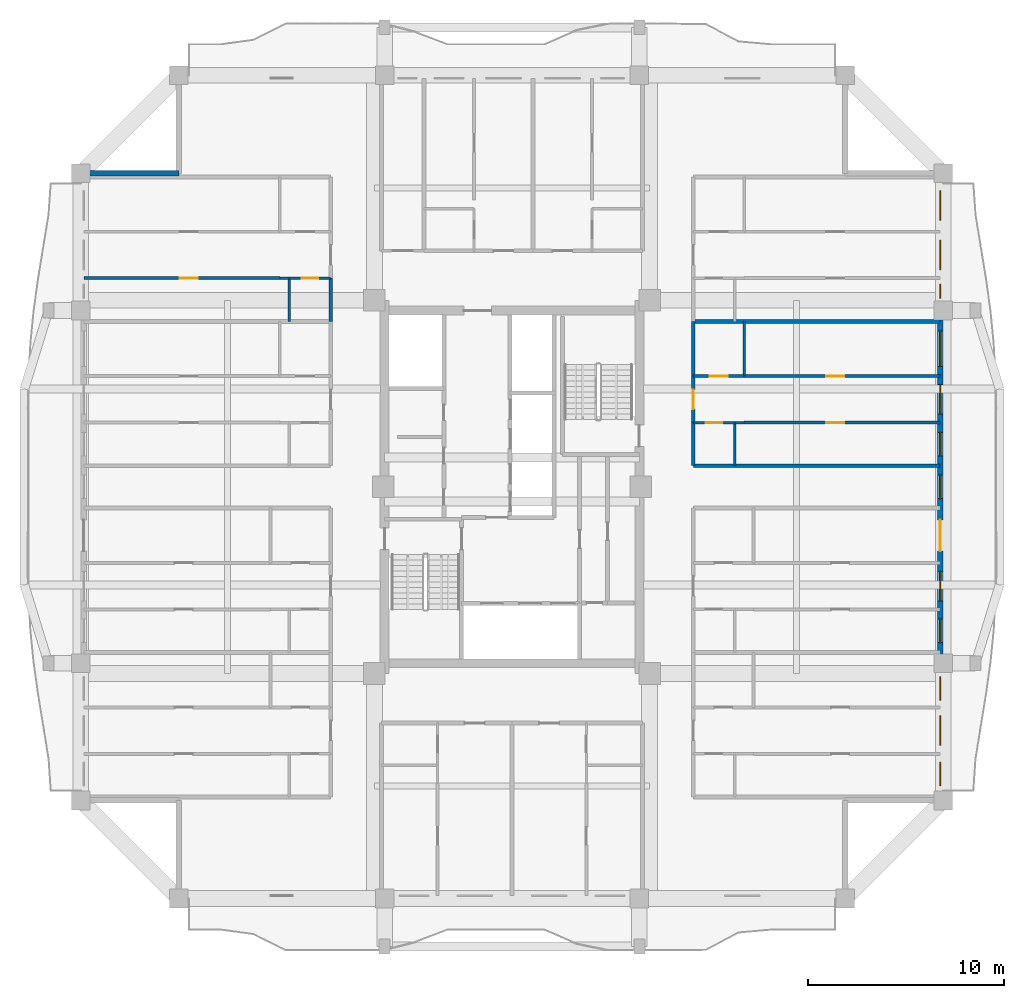
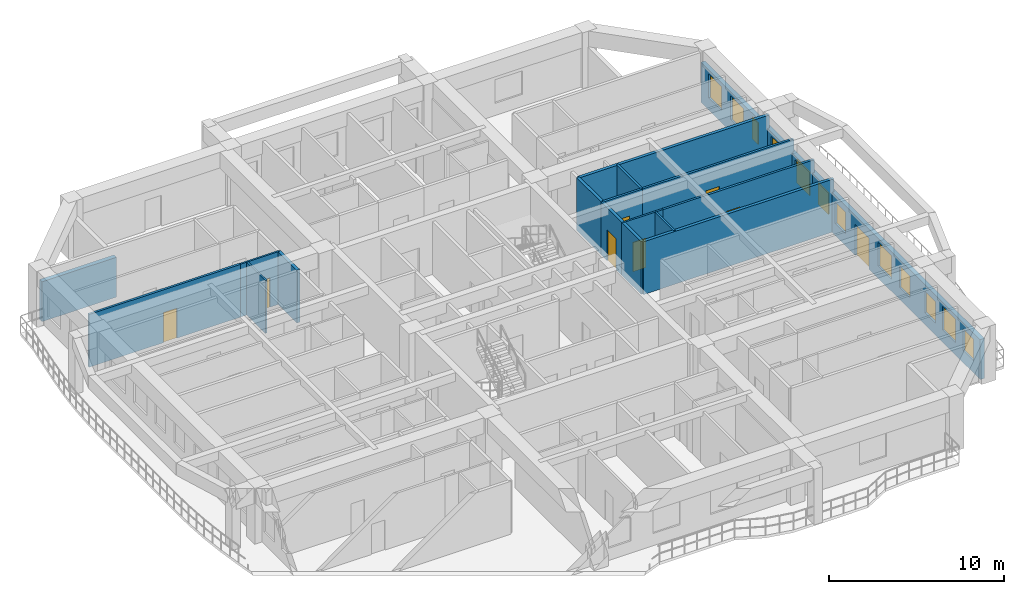
# One storey, part 6 of 15: 19 walls, 12 windows, 8 doors, 20 openings.
"""IFC4 building model written with IfcOpenShell, lengths in metres."""

from ifc_helpers import new_model, si_unit, direction, frame, frame_2d, origin, place, context, subcontext, project, spatial, rectangle, extrude, source, transform, mapped, material, layer, layer_set, type_object, element, fill, save


model = new_model("IFC4")

# Units and contexts
model_context = context("Model", 3, precision=1e-05, world=origin(), true_north=direction((0.0, 1.0)))
body_context = subcontext(model_context, "Body", "Model", "MODEL_VIEW")
ifc_project = project(units=[si_unit("LENGTHUNIT", "METRE"), si_unit("AREAUNIT", "SQUARE_METRE"), si_unit("VOLUMEUNIT", "CUBIC_METRE"), si_unit("PLANEANGLEUNIT", "RADIAN"), si_unit("MASSUNIT", "GRAM", prefix="KILO")], contexts=[model_context])

# Site, building, storey
site_placement = place(None, origin())
site = spatial("IfcSite", under=ifc_project, at=site_placement, CompositionType="ELEMENT")
building_placement = place(site_placement, origin())
building = spatial("IfcBuilding", under=site, at=building_placement, Name="Saelheon Loggia Tower", CompositionType="ELEMENT")
storey_placement = place(building_placement, frame((0.0, 0.0, 159.10009765625)))
storey = spatial("IfcBuildingStorey", under=building, at=storey_placement, Name="L50", CompositionType="ELEMENT", Elevation=159.10009765625)

# Wall, openings, windows, door
ifc_material_1 = material(Name="Architectural Precast Concrete C40/50", Category="concrete")
ifc_layer_1 = layer(ifc_material_1, 0.280029296875)
ifc_layer_set_1 = layer_set([ifc_layer_1], Name="Architectural Precast Concrete C40/50")
wall_type_1 = type_object("IfcWallType", Name="Wall_Ext_Loggia_280", PredefinedType="SOLIDWALL", material=ifc_layer_set_1)
wall_1_placement = place(storey_placement, frame((59.860107421875, 11.0, 0.0), z_axis=(0.0, 0.0, 1.0), x_axis=(0.0, 1.0, 0.0)))
wall_1 = element("IfcWall", 1, at=wall_1_placement, inside=storey, type_object=wall_type_1, Name="L50 East Loggia Inner Wall", PredefinedType="SOLIDWALL", context=body_context, shape_type="SweptSolid", body=[
    extrude(rectangle(XDim=32.0, YDim=0.280029296875, at=frame_2d((16.0, 0.0))), origin(), (0.0, 0.0, 1.0), 2.789794921875),
])
opening_1_placement = place(wall_1_placement, frame((0.74755859375, 0.0, 0.85009765625)))
opening_1 = element("IfcOpeningElement", 2, at=opening_1_placement, cuts=wall_1, Name="Opening WN-03", PredefinedType="OPENING", context=body_context, shape_type="SweptSolid", body=[
    extrude(rectangle(XDim=1.199951171875, YDim=1.5, at=frame_2d((0.60009765625, 0.75))), frame((0.0, 0.152099609375, 0.0), z_axis=(0.0, -1.0, 0.0), x_axis=(1.0, 0.0, 0.0)), (0.0, 0.0, 1.0), 0.303955078125),
])
opening_2_placement = place(wall_1_placement, frame((2.814697265625, 0.0, 0.85009765625)))
opening_2 = element("IfcOpeningElement", 3, at=opening_2_placement, cuts=wall_1, Name="Opening WN-02", PredefinedType="OPENING", context=body_context, shape_type="SweptSolid", body=[
    extrude(rectangle(XDim=1.5, YDim=1.64990234375, at=frame_2d((0.75, 0.824951171875))), frame((0.0, 0.152099609375, 0.0), z_axis=(0.0, -1.0, 0.0), x_axis=(1.0, 0.0, 0.0)), (0.0, 0.0, 1.0), 0.303955078125),
])
opening_3_placement = place(wall_1_placement, frame((5.1171875, 0.0, 0.85009765625)))
opening_3 = element("IfcOpeningElement", 4, at=opening_3_placement, cuts=wall_1, Name="Opening WN-03", PredefinedType="OPENING", context=body_context, shape_type="SweptSolid", body=[
    extrude(rectangle(XDim=1.199951171875, YDim=1.5, at=frame_2d((0.60009765625, 0.75))), frame((0.0, 0.152099609375, 0.0), z_axis=(0.0, -1.0, 0.0), x_axis=(1.0, 0.0, 0.0)), (0.0, 0.0, 1.0), 0.303955078125),
])
opening_4_placement = place(wall_1_placement, frame((8.050048828125, 0.0, 0.85009765625)))
opening_4 = element("IfcOpeningElement", 5, at=opening_4_placement, cuts=wall_1, Name="Opening WN-03", PredefinedType="OPENING", context=body_context, shape_type="SweptSolid", body=[
    extrude(rectangle(XDim=1.199951171875, YDim=1.5, at=frame_2d((0.60009765625, 0.75))), frame((0.0, 0.152099609375, 0.0), z_axis=(0.0, -1.0, 0.0), x_axis=(1.0, 0.0, 0.0)), (0.0, 0.0, 1.0), 0.303955078125),
])
opening_5_placement = place(wall_1_placement, frame((10.184814453125, 0.0, 0.85009765625)))
opening_5 = element("IfcOpeningElement", 6, at=opening_5_placement, cuts=wall_1, Name="Opening WN-02", PredefinedType="OPENING", context=body_context, shape_type="SweptSolid", body=[
    extrude(rectangle(XDim=1.5, YDim=1.64990234375, at=frame_2d((0.75, 0.824951171875))), frame((0.0, 0.152099609375, 0.0), z_axis=(0.0, -1.0, 0.0), x_axis=(1.0, 0.0, 0.0)), (0.0, 0.0, 1.0), 0.303955078125),
])
opening_6_placement = place(wall_1_placement, frame((14.31982421875, 0.0, 0.0), z_axis=(0.0, 0.0, 1.0), x_axis=(-1.0, 0.0, 0.0)))
opening_6 = element("IfcOpeningElement", 7, at=opening_6_placement, cuts=wall_1, Name="Opening DLG-1", PredefinedType="OPENING", context=body_context, shape_type="SweptSolid", body=[
    extrude(rectangle(XDim=1.60009765625, YDim=2.14990234375, at=frame_2d((0.800048828125, 1.074951171875))), frame((0.0, 0.152099609375, 0.0), z_axis=(0.0, -1.0, 0.0), x_axis=(1.0, 0.0, 0.0)), (0.0, 0.0, 1.0), 0.303955078125),
])
opening_7_placement = place(wall_1_placement, frame((15.39990234375, 0.0, 0.85009765625)))
opening_7 = element("IfcOpeningElement", 8, at=opening_7_placement, cuts=wall_1, Name="Opening WN-03", PredefinedType="OPENING", context=body_context, shape_type="SweptSolid", body=[
    extrude(rectangle(XDim=1.199951171875, YDim=1.5, at=frame_2d((0.60009765625, 0.75))), frame((0.0, 0.152099609375, 0.0), z_axis=(0.0, -1.0, 0.0), x_axis=(1.0, 0.0, 0.0)), (0.0, 0.0, 1.0), 0.303955078125),
])
opening_8_placement = place(wall_1_placement, frame((17.580078125, 0.0, 0.85009765625)))
opening_8 = element("IfcOpeningElement", 9, at=opening_8_placement, cuts=wall_1, Name="Opening WN-03", PredefinedType="OPENING", context=body_context, shape_type="SweptSolid", body=[
    extrude(rectangle(XDim=1.199951171875, YDim=1.5, at=frame_2d((0.60009765625, 0.75))), frame((0.0, 0.152099609375, 0.0), z_axis=(0.0, -1.0, 0.0), x_axis=(1.0, 0.0, 0.0)), (0.0, 0.0, 1.0), 0.303955078125),
])
opening_9_placement = place(wall_1_placement, frame((19.714599609375, 0.0, 0.85009765625)))
opening_9 = element("IfcOpeningElement", 10, at=opening_9_placement, cuts=wall_1, Name="Opening WN-02", PredefinedType="OPENING", context=body_context, shape_type="SweptSolid", body=[
    extrude(rectangle(XDim=1.5, YDim=1.64990234375, at=frame_2d((0.75, 0.824951171875))), frame((0.0, 0.152099609375, 0.0), z_axis=(0.0, -1.0, 0.0), x_axis=(1.0, 0.0, 0.0)), (0.0, 0.0, 1.0), 0.303955078125),
])
opening_10_placement = place(wall_1_placement, frame((22.149658203125, 0.0, 0.85009765625)))
opening_10 = element("IfcOpeningElement", 11, at=opening_10_placement, cuts=wall_1, Name="Opening WN-01", PredefinedType="OPENING", context=body_context, shape_type="SweptSolid", body=[
    extrude(rectangle(XDim=1.800048828125, YDim=1.64990234375, at=frame_2d((0.89990234375, 0.824951171875))), frame((0.0, 0.152099609375, 0.0), z_axis=(0.0, -1.0, 0.0), x_axis=(1.0, 0.0, 0.0)), (0.0, 0.0, 1.0), 0.303955078125),
])
opening_11_placement = place(wall_1_placement, frame((25.632568359375, 0.0, 0.85009765625)))
opening_11 = element("IfcOpeningElement", 12, at=opening_11_placement, cuts=wall_1, Name="Opening WN-06", PredefinedType="OPENING", context=body_context, shape_type="SweptSolid", body=[
    extrude(rectangle(XDim=0.699951171875, YDim=1.5, at=frame_2d((0.35009765625, 0.75))), frame((0.0, 0.152099609375, 0.0), z_axis=(0.0, -1.0, 0.0), x_axis=(1.0, 0.0, 0.0)), (0.0, 0.0, 1.0), 0.303955078125),
])
opening_12_placement = place(wall_1_placement, frame((27.084716796875, 0.0, 0.85009765625)))
opening_12 = element("IfcOpeningElement", 13, at=opening_12_placement, cuts=wall_1, Name="Opening WN-02", PredefinedType="OPENING", context=body_context, shape_type="SweptSolid", body=[
    extrude(rectangle(XDim=1.5, YDim=1.64990234375, at=frame_2d((0.75, 0.824951171875))), frame((0.0, 0.152099609375, 0.0), z_axis=(0.0, -1.0, 0.0), x_axis=(1.0, 0.0, 0.0)), (0.0, 0.0, 1.0), 0.303955078125),
])
opening_13_placement = place(wall_1_placement, frame((29.602294921875, 0.0, 0.85009765625)))
opening_13 = element("IfcOpeningElement", 14, at=opening_13_placement, cuts=wall_1, Name="Opening WN-02", PredefinedType="OPENING", context=body_context, shape_type="SweptSolid", body=[
    extrude(rectangle(XDim=1.5, YDim=1.64990234375, at=frame_2d((0.75, 0.824951171875))), frame((0.0, 0.152099609375, 0.0), z_axis=(0.0, -1.0, 0.0), x_axis=(1.0, 0.0, 0.0)), (0.0, 0.0, 1.0), 0.303955078125),
])
ifc_material_2 = material(Name="Thermal-Break Aluminium and Triple Low-E Glass", Category="aluminium")
window_type_1 = type_object("IfcWindowType", Name="Win_Dwelling_1800x1650", PartitioningType="SINGLE_PANEL", PredefinedType="WINDOW", material=ifc_material_2)
shared_shape_1 = source(origin(), body_context, "Body", "SweptSolid", [
    extrude(rectangle(XDim=1.800048828125, YDim=1.64990234375, at=frame_2d((0.89990234375, 0.824951171875))), frame((0.0, 0.030029296875, 0.0), z_axis=(0.0, -1.0, 0.0), x_axis=(1.0, 0.0, 0.0)), (0.0, 0.0, 1.0), 0.06005859375),
])
window_1_placement = place(opening_10_placement, origin())
window_1 = element("IfcWindow", 15, at=window_1_placement, inside=storey, type_object=window_type_1, Name="L50 E Dwelling Window 10", OverallHeight=1.64990234375, OverallWidth=1.800048828125, PartitioningType="SINGLE_PANEL", PredefinedType="WINDOW", context=body_context, shape_type="MappedRepresentation", body=[
    mapped(shared_shape_1, transform((0.0, 0.0, 0.0), scale=1.0)),
])
fill(opening_10, window_1)
window_type_2 = type_object("IfcWindowType", Name="Win_Slot_700x1500", PartitioningType="SINGLE_PANEL", PredefinedType="WINDOW", material=ifc_material_2)
shared_shape_2 = source(origin(), body_context, "Body", "SweptSolid", [
    extrude(rectangle(XDim=0.699951171875, YDim=1.5, at=frame_2d((0.35009765625, 0.75))), frame((0.0, 0.030029296875, 0.0), z_axis=(0.0, -1.0, 0.0), x_axis=(1.0, 0.0, 0.0)), (0.0, 0.0, 1.0), 0.06005859375),
])
window_2_placement = place(opening_11_placement, origin())
window_2 = element("IfcWindow", 16, at=window_2_placement, inside=storey, type_object=window_type_2, Name="L50 E Dwelling Window 11", OverallHeight=1.5, OverallWidth=0.699951171875, PartitioningType="SINGLE_PANEL", PredefinedType="WINDOW", context=body_context, shape_type="MappedRepresentation", body=[
    mapped(shared_shape_2, transform((0.0, 0.0, 0.0), scale=1.0)),
])
fill(opening_11, window_2)
window_type_3 = type_object("IfcWindowType", Name="Win_Bedroom_1200x1500", PartitioningType="SINGLE_PANEL", PredefinedType="WINDOW", material=ifc_material_2)
shared_shape_3 = source(origin(), body_context, "Body", "SweptSolid", [
    extrude(rectangle(XDim=1.199951171875, YDim=1.5, at=frame_2d((0.60009765625, 0.75))), frame((0.0, 0.030029296875, 0.0), z_axis=(0.0, -1.0, 0.0), x_axis=(1.0, 0.0, 0.0)), (0.0, 0.0, 1.0), 0.06005859375),
])
window_3_placement = place(opening_1_placement, origin())
window_3 = element("IfcWindow", 17, at=window_3_placement, inside=storey, type_object=window_type_3, Name="L50 E Dwelling Window 1", OverallHeight=1.5, OverallWidth=1.199951171875, PartitioningType="SINGLE_PANEL", PredefinedType="WINDOW", context=body_context, shape_type="MappedRepresentation", body=[
    mapped(shared_shape_3, transform((0.0, 0.0, 0.0), scale=1.0)),
])
fill(opening_1, window_3)
window_4_placement = place(opening_3_placement, origin())
window_4 = element("IfcWindow", 18, at=window_4_placement, inside=storey, type_object=window_type_3, Name="L50 E Dwelling Window 3", OverallHeight=1.5, OverallWidth=1.199951171875, PartitioningType="SINGLE_PANEL", PredefinedType="WINDOW", context=body_context, shape_type="MappedRepresentation", body=[
    mapped(shared_shape_3, transform((0.0, 0.0, 0.0), scale=1.0)),
])
fill(opening_3, window_4)
window_5_placement = place(opening_4_placement, origin())
window_5 = element("IfcWindow", 19, at=window_5_placement, inside=storey, type_object=window_type_3, Name="L50 E Dwelling Window 4", OverallHeight=1.5, OverallWidth=1.199951171875, PartitioningType="SINGLE_PANEL", PredefinedType="WINDOW", context=body_context, shape_type="MappedRepresentation", body=[
    mapped(shared_shape_3, transform((0.0, 0.0, 0.0), scale=1.0)),
])
fill(opening_4, window_5)
window_6_placement = place(opening_7_placement, origin())
window_6 = element("IfcWindow", 20, at=window_6_placement, inside=storey, type_object=window_type_3, Name="L50 E Dwelling Window 7", OverallHeight=1.5, OverallWidth=1.199951171875, PartitioningType="SINGLE_PANEL", PredefinedType="WINDOW", context=body_context, shape_type="MappedRepresentation", body=[
    mapped(shared_shape_3, transform((0.0, 0.0, 0.0), scale=1.0)),
])
fill(opening_7, window_6)
window_7_placement = place(opening_8_placement, origin())
window_7 = element("IfcWindow", 21, at=window_7_placement, inside=storey, type_object=window_type_3, Name="L50 E Dwelling Window 8", OverallHeight=1.5, OverallWidth=1.199951171875, PartitioningType="SINGLE_PANEL", PredefinedType="WINDOW", context=body_context, shape_type="MappedRepresentation", body=[
    mapped(shared_shape_3, transform((0.0, 0.0, 0.0), scale=1.0)),
])
fill(opening_8, window_7)
ifc_material_3 = material(Name="Thermal-Break Aluminium Sliding Glazed Door", Category="aluminium")
door_type_1 = type_object("IfcDoorType", Name="Door_LoggiaSlide_1600", OperationType="SLIDING_TO_LEFT", PredefinedType="DOOR", material=ifc_material_3)
shared_shape_4 = source(origin(), body_context, "Body", "SweptSolid", [
    extrude(rectangle(XDim=1.60009765625, YDim=2.14990234375, at=frame_2d((0.800048828125, 1.074951171875))), frame((0.0, 0.02490234375, 0.0), z_axis=(0.0, -1.0, 0.0), x_axis=(1.0, 0.0, 0.0)), (0.0, 0.0, 1.0), 0.050048828125),
])
door_1_placement = place(opening_6_placement, origin())
door_1 = element("IfcDoor", 22, at=door_1_placement, inside=storey, type_object=door_type_1, Name="L50 E Loggia Access Door", OperationType="SLIDING_TO_LEFT", OverallHeight=2.14990234375, OverallWidth=1.60009765625, PredefinedType="DOOR", context=body_context, shape_type="MappedRepresentation", body=[
    mapped(shared_shape_4, transform((0.0, 0.0, 0.0), scale=1.0)),
])
fill(opening_6, door_1)
window_type_4 = type_object("IfcWindowType", Name="Win_Dwelling_1500x1650", PartitioningType="SINGLE_PANEL", PredefinedType="WINDOW", material=ifc_material_2)
shared_shape_5 = source(origin(), body_context, "Body", "SweptSolid", [
    extrude(rectangle(XDim=1.5, YDim=1.64990234375, at=frame_2d((0.75, 0.824951171875))), frame((0.0, 0.030029296875, 0.0), z_axis=(0.0, -1.0, 0.0), x_axis=(1.0, 0.0, 0.0)), (0.0, 0.0, 1.0), 0.06005859375),
])
window_8_placement = place(opening_2_placement, origin())
window_8 = element("IfcWindow", 23, at=window_8_placement, inside=storey, type_object=window_type_4, Name="L50 E Dwelling Window 2", OverallHeight=1.64990234375, OverallWidth=1.5, PartitioningType="SINGLE_PANEL", PredefinedType="WINDOW", context=body_context, shape_type="MappedRepresentation", body=[
    mapped(shared_shape_5, transform((0.0, 0.0, 0.0), scale=1.0)),
])
fill(opening_2, window_8)
window_9_placement = place(opening_5_placement, origin())
window_9 = element("IfcWindow", 24, at=window_9_placement, inside=storey, type_object=window_type_4, Name="L50 E Dwelling Window 5", OverallHeight=1.64990234375, OverallWidth=1.5, PartitioningType="SINGLE_PANEL", PredefinedType="WINDOW", context=body_context, shape_type="MappedRepresentation", body=[
    mapped(shared_shape_5, transform((0.0, 0.0, 0.0), scale=1.0)),
])
fill(opening_5, window_9)
window_10_placement = place(opening_9_placement, origin())
window_10 = element("IfcWindow", 25, at=window_10_placement, inside=storey, type_object=window_type_4, Name="L50 E Dwelling Window 9", OverallHeight=1.64990234375, OverallWidth=1.5, PartitioningType="SINGLE_PANEL", PredefinedType="WINDOW", context=body_context, shape_type="MappedRepresentation", body=[
    mapped(shared_shape_5, transform((0.0, 0.0, 0.0), scale=1.0)),
])
fill(opening_9, window_10)
window_11_placement = place(opening_12_placement, origin())
window_11 = element("IfcWindow", 26, at=window_11_placement, inside=storey, type_object=window_type_4, Name="L50 E Dwelling Window 12", OverallHeight=1.64990234375, OverallWidth=1.5, PartitioningType="SINGLE_PANEL", PredefinedType="WINDOW", context=body_context, shape_type="MappedRepresentation", body=[
    mapped(shared_shape_5, transform((0.0, 0.0, 0.0), scale=1.0)),
])
fill(opening_12, window_11)
window_12_placement = place(opening_13_placement, origin())
window_12 = element("IfcWindow", 27, at=window_12_placement, inside=storey, type_object=window_type_4, Name="L50 E Dwelling Window 13", OverallHeight=1.64990234375, OverallWidth=1.5, PartitioningType="SINGLE_PANEL", PredefinedType="WINDOW", context=body_context, shape_type="MappedRepresentation", body=[
    mapped(shared_shape_5, transform((0.0, 0.0, 0.0), scale=1.0)),
])
fill(opening_13, window_12)

# Wall
wall_2_placement = place(storey_placement, frame((16.080078125, 43.0, 0.0), z_axis=(0.0, 0.0, 1.0), x_axis=(1.0, 0.0, 0.0)))
element("IfcWall", 28, at=wall_2_placement, inside=storey, type_object=wall_type_1, Name="L50 Corner Notch Precast Wall NW2", PredefinedType="SOLIDWALL", context=body_context, shape_type="SweptSolid", body=[
    extrude(rectangle(XDim=4.919921875, YDim=0.280029296875, at=frame_2d((2.4599609375, 0.0))), origin(), (0.0, 0.0, 1.0), 2.789794921875),
])

# Wall, opening, door
ifc_material_4 = material(Name="Lightweight Autoclaved Aerated Concrete Block and Acoustic Gypsum", Category="concrete")
ifc_layer_2 = layer(ifc_material_4, 0.14990234375)
ifc_layer_set_2 = layer_set([ifc_layer_2], Name="Lightweight Autoclaved Aerated Concrete Block and Acoustic Gypsum")
wall_type_2 = type_object("IfcWallType", Name="Wall_Part_150", PredefinedType="PARTITIONING", material=ifc_layer_set_2)
wall_3_placement = place(storey_placement, frame((26.14990234375, 37.64990234375, 0.0), z_axis=(0.0, 0.0, 1.0), x_axis=(-1.0, 0.0, 0.0)))
wall_3 = element("IfcWall", 29, at=wall_3_placement, inside=storey, type_object=wall_type_2, Name="L50 WN Partition U21", PredefinedType="PARTITIONING", context=body_context, shape_type="SweptSolid", body=[
    extrude(rectangle(XDim=10.0, YDim=0.14990234375, at=frame_2d((5.0, 0.0))), origin(), (0.0, 0.0, 1.0), 3.68994140625),
])
opening_14_placement = place(wall_3_placement, frame((4.19091796875, 0.0, 0.0)))
opening_14 = element("IfcOpeningElement", 30, at=opening_14_placement, cuts=wall_3, Name="Opening D-IN2", PredefinedType="OPENING", context=body_context, shape_type="SweptSolid", body=[
    extrude(rectangle(XDim=0.89990234375, YDim=2.10009765625, at=frame_2d((0.449951171875, 1.050048828125))), frame((0.0, 0.0869140625, 0.0), z_axis=(0.0, -1.0, 0.0), x_axis=(1.0, 0.0, 0.0)), (0.0, 0.0, 1.0), 0.173828125),
])
ifc_material_5 = material(Name="Engineered Oak Flush Door", Category="timber")
door_type_2 = type_object("IfcDoorType", Name="Door_Int_900", OperationType="NOTDEFINED", PredefinedType="DOOR", material=ifc_material_5)
shared_shape_6 = source(origin(), body_context, "Body", "SweptSolid", [
    extrude(rectangle(XDim=0.89990234375, YDim=2.10009765625, at=frame_2d((0.449951171875, 1.050048828125))), frame((0.0, 0.02490234375, 0.0), z_axis=(0.0, -1.0, 0.0), x_axis=(1.0, 0.0, 0.0)), (0.0, 0.0, 1.0), 0.050048828125),
])
door_2_placement = place(opening_14_placement, origin())
door_2 = element("IfcDoor", 31, at=door_2_placement, inside=storey, type_object=door_type_2, Name="Unit U08 Kitchen Door", OperationType="SINGLE_SWING_LEFT", OverallHeight=2.10009765625, OverallWidth=0.89990234375, PredefinedType="DOOR", context=body_context, shape_type="MappedRepresentation", body=[
    mapped(shared_shape_6, transform((0.0, 0.0, 0.0), scale=1.0)),
])
fill(opening_14, door_2)

# Wall
wall_4_placement = place(storey_placement, frame((49.85009765625, 32.6494140625, 0.0), z_axis=(0.0, 0.0, 1.0), x_axis=(0.0, 1.0, 0.0)))
element("IfcWall", 32, at=wall_4_placement, inside=storey, type_object=wall_type_2, Name="L50 EN Partition V07", PredefinedType="PARTITIONING", context=body_context, shape_type="SweptSolid", body=[
    extrude(rectangle(XDim=2.800537109375, YDim=0.14990234375, at=frame_2d((1.400390625, 0.0))), origin(), (0.0, 0.0, 1.0), 3.68994140625),
])

# Wall, opening, door
wall_5_placement = place(storey_placement, frame((49.85009765625, 30.280029296875, 0.0), z_axis=(0.0, 0.0, 1.0), x_axis=(1.0, 0.0, 0.0)))
wall_5 = element("IfcWall", 33, at=wall_5_placement, inside=storey, type_object=wall_type_2, Name="L50 EN Partition U10", PredefinedType="PARTITIONING", context=body_context, shape_type="SweptSolid", body=[
    extrude(rectangle(XDim=10.0, YDim=0.14990234375, at=frame_2d((5.0, 0.0))), origin(), (0.0, 0.0, 1.0), 3.68994140625),
])
opening_15_placement = place(wall_5_placement, frame((4.19091796875, 0.0, 0.0)))
opening_15 = element("IfcOpeningElement", 34, at=opening_15_placement, cuts=wall_5, Name="Opening D-IN2", PredefinedType="OPENING", context=body_context, shape_type="SweptSolid", body=[
    extrude(rectangle(XDim=0.89990234375, YDim=2.10009765625, at=frame_2d((0.449951171875, 1.050048828125))), frame((0.0, 0.0869140625, 0.0), z_axis=(0.0, -1.0, 0.0), x_axis=(1.0, 0.0, 0.0)), (0.0, 0.0, 1.0), 0.173828125),
])
door_3_placement = place(opening_15_placement, origin())
door_3 = element("IfcDoor", 35, at=door_3_placement, inside=storey, type_object=door_type_2, Name="Unit U11 Kitchen Door", OperationType="SINGLE_SWING_RIGHT", OverallHeight=2.10009765625, OverallWidth=0.89990234375, PredefinedType="DOOR", context=body_context, shape_type="MappedRepresentation", body=[
    mapped(shared_shape_6, transform((0.0, 0.0, 0.0), scale=1.0)),
])
fill(opening_15, door_3)

wall_6_placement = place(storey_placement, frame((47.25, 32.6494140625, 0.0), z_axis=(0.0, 0.0, 1.0), x_axis=(1.0, 0.0, 0.0)))
wall_6 = element("IfcWall", 36, at=wall_6_placement, inside=storey, type_object=wall_type_2, Name="L50 EN Partition U11", PredefinedType="PARTITIONING", context=body_context, shape_type="SweptSolid", body=[
    extrude(rectangle(XDim=2.60009765625, YDim=0.14990234375, at=frame_2d((1.300048828125, 0.0))), origin(), (0.0, 0.0, 1.0), 3.68994140625),
])
opening_16_placement = place(wall_6_placement, frame((0.85009765625, 0.0, 0.0)))
opening_16 = element("IfcOpeningElement", 37, at=opening_16_placement, cuts=wall_6, Name="Opening D-IN2", PredefinedType="OPENING", context=body_context, shape_type="SweptSolid", body=[
    extrude(rectangle(XDim=0.89990234375, YDim=2.10009765625, at=frame_2d((0.449951171875, 1.050048828125))), frame((0.0, 0.0869140625, 0.0), z_axis=(0.0, -1.0, 0.0), x_axis=(1.0, 0.0, 0.0)), (0.0, 0.0, 1.0), 0.173828125),
])
door_4_placement = place(opening_16_placement, origin())
door_4 = element("IfcDoor", 38, at=door_4_placement, inside=storey, type_object=door_type_2, Name="Unit U11 Dressing Closet Door", OperationType="SINGLE_SWING_LEFT", OverallHeight=2.10009765625, OverallWidth=0.89990234375, PredefinedType="DOOR", context=body_context, shape_type="MappedRepresentation", body=[
    mapped(shared_shape_6, transform((0.0, 0.0, 0.0), scale=1.0)),
])
fill(opening_16, door_4)

wall_7_placement = place(storey_placement, frame((49.85009765625, 32.6494140625, 0.0), z_axis=(0.0, 0.0, 1.0), x_axis=(1.0, 0.0, 0.0)))
wall_7 = element("IfcWall", 39, at=wall_7_placement, inside=storey, type_object=wall_type_2, Name="L50 EN Partition U12", PredefinedType="PARTITIONING", context=body_context, shape_type="SweptSolid", body=[
    extrude(rectangle(XDim=10.0, YDim=0.14990234375, at=frame_2d((5.0, 0.0))), origin(), (0.0, 0.0, 1.0), 3.68994140625),
])
opening_17_placement = place(wall_7_placement, frame((4.19091796875, 0.0, 0.0)))
opening_17 = element("IfcOpeningElement", 40, at=opening_17_placement, cuts=wall_7, Name="Opening D-IN2", PredefinedType="OPENING", context=body_context, shape_type="SweptSolid", body=[
    extrude(rectangle(XDim=0.89990234375, YDim=2.10009765625, at=frame_2d((0.449951171875, 1.050048828125))), frame((0.0, 0.0869140625, 0.0), z_axis=(0.0, -1.0, 0.0), x_axis=(1.0, 0.0, 0.0)), (0.0, 0.0, 1.0), 0.173828125),
])
door_5_placement = place(opening_17_placement, origin())
door_5 = element("IfcDoor", 41, at=door_5_placement, inside=storey, type_object=door_type_2, Name="Unit U11 Bedroom 1 Door", OperationType="SINGLE_SWING_RIGHT", OverallHeight=2.10009765625, OverallWidth=0.89990234375, PredefinedType="DOOR", context=body_context, shape_type="MappedRepresentation", body=[
    mapped(shared_shape_6, transform((0.0, 0.0, 0.0), scale=1.0)),
])
fill(opening_17, door_5)

# Walls
ifc_material_6 = material(Name="Double Acoustic Stud and Fireboard Partition", Category="gypsum")
ifc_layer_3 = layer(ifc_material_6, 0.199951171875)
ifc_layer_set_3 = layer_set([ifc_layer_3], Name="Double Acoustic Stud and Fireboard Partition")
wall_type_3 = type_object("IfcWallType", Name="Wall_Party_200", PredefinedType="PARTITIONING", material=ifc_layer_set_3)
wall_8_placement = place(storey_placement, frame((28.75, 35.449951171875, 0.0), z_axis=(0.0, 0.0, 1.0), x_axis=(0.0, 1.0, 0.0)))
element("IfcWall", 42, at=wall_8_placement, inside=storey, type_object=wall_type_3, Name="L50 WN Partition V14", PredefinedType="PARTITIONING", context=body_context, shape_type="SweptSolid", body=[
    extrude(rectangle(XDim=2.199951171875, YDim=0.199951171875, at=frame_2d((1.10009765625, 0.0))), origin(), (0.0, 0.0, 1.0), 3.68994140625),
])
wall_9_placement = place(storey_placement, frame((47.25, 28.080078125, 0.0), z_axis=(0.0, 0.0, 1.0), x_axis=(1.0, 0.0, 0.0)))
element("IfcWall", 43, at=wall_9_placement, inside=storey, type_object=wall_type_3, Name="L50 EN Partition U01", PredefinedType="PARTITIONING", context=body_context, shape_type="SweptSolid", body=[
    extrude(rectangle(XDim=12.60009765625, YDim=0.199951171875, at=frame_2d((6.300048828125, 0.0))), origin(), (0.0, 0.0, 1.0), 3.68994140625),
])
wall_10_placement = place(storey_placement, frame((47.25, 28.080078125, 0.0), z_axis=(0.0, 0.0, 1.0), x_axis=(0.0, 1.0, 0.0)))
element("IfcWall", 44, at=wall_10_placement, inside=storey, type_object=wall_type_3, Name="L50 EN Partition V03", PredefinedType="PARTITIONING", context=body_context, shape_type="SweptSolid", body=[
    extrude(rectangle(XDim=2.199951171875, YDim=0.199951171875, at=frame_2d((1.10009765625, 0.0))), origin(), (0.0, 0.0, 1.0), 3.68994140625),
])

# Wall, opening, door
wall_11_placement = place(storey_placement, frame((47.25, 30.280029296875, 0.0), z_axis=(0.0, 0.0, 1.0), x_axis=(0.0, 1.0, 0.0)))
wall_11 = element("IfcWall", 45, at=wall_11_placement, inside=storey, type_object=wall_type_3, Name="L50 EN Partition V04", PredefinedType="PARTITIONING", context=body_context, shape_type="SweptSolid", body=[
    extrude(rectangle(XDim=2.369384765625, YDim=0.199951171875, at=frame_2d((1.1845703125, 0.0))), origin(), (0.0, 0.0, 1.0), 3.68994140625),
])
opening_18_placement = place(wall_11_placement, frame((0.684814453125, 0.0, 0.0)))
opening_18 = element("IfcOpeningElement", 46, at=opening_18_placement, cuts=wall_11, Name="Opening D-FD1", PredefinedType="OPENING", context=body_context, shape_type="SweptSolid", body=[
    extrude(rectangle(XDim=1.0, YDim=2.14990234375, at=frame_2d((0.5, 1.074951171875))), frame((0.0, 0.112060546875, 0.0), z_axis=(0.0, -1.0, 0.0), x_axis=(1.0, 0.0, 0.0)), (0.0, 0.0, 1.0), 0.223876953125),
])
ifc_material_7 = material(Name="Fire-Rated Engineered Timber Entrance Door", Category="wood")
door_type_3 = type_object("IfcDoorType", Name="Door_Flat_FD30S", OperationType="NOTDEFINED", PredefinedType="DOOR", material=ifc_material_7)
shared_shape_7 = source(origin(), body_context, "Body", "SweptSolid", [
    extrude(rectangle(XDim=1.0, YDim=2.14990234375, at=frame_2d((0.5, 1.074951171875))), frame((0.0, 0.02490234375, 0.0), z_axis=(0.0, -1.0, 0.0), x_axis=(1.0, 0.0, 0.0)), (0.0, 0.0, 1.0), 0.050048828125),
])
door_6_placement = place(opening_18_placement, origin())
door_6 = element("IfcDoor", 47, at=door_6_placement, inside=storey, type_object=door_type_3, Name="Unit U11 Entrance Door", OperationType="SINGLE_SWING_RIGHT", OverallHeight=2.14990234375, OverallWidth=1.0, PredefinedType="DOOR", context=body_context, shape_type="MappedRepresentation", body=[
    mapped(shared_shape_7, transform((0.0, 0.0, 0.0), scale=1.0)),
])
fill(opening_18, door_6)

# Walls
wall_12_placement = place(storey_placement, frame((47.25, 32.6494140625, 0.0), z_axis=(0.0, 0.0, 1.0), x_axis=(0.0, 1.0, 0.0)))
element("IfcWall", 48, at=wall_12_placement, inside=storey, type_object=wall_type_3, Name="L50 EN Partition V05", PredefinedType="PARTITIONING", context=body_context, shape_type="SweptSolid", body=[
    extrude(rectangle(XDim=2.800537109375, YDim=0.199951171875, at=frame_2d((1.400390625, 0.0))), origin(), (0.0, 0.0, 1.0), 3.68994140625),
])
wall_13_placement = place(storey_placement, frame((47.25, 35.449951171875, 0.0), z_axis=(0.0, 0.0, 1.0), x_axis=(1.0, 0.0, 0.0)))
element("IfcWall", 49, at=wall_13_placement, inside=storey, type_object=wall_type_3, Name="L50 EN Partition U13", PredefinedType="PARTITIONING", context=body_context, shape_type="SweptSolid", body=[
    extrude(rectangle(XDim=12.60009765625, YDim=0.199951171875, at=frame_2d((6.300048828125, 0.0))), origin(), (0.0, 0.0, 1.0), 3.68994140625),
])
ifc_material_8 = material(Name="Moisture-Resistant Cement Board Partition", Category="gypsum")
ifc_layer_4 = layer(ifc_material_8, 0.1201171875)
ifc_layer_set_4 = layer_set([ifc_layer_4], Name="Moisture-Resistant Cement Board Partition")
wall_type_4 = type_object("IfcWallType", Name="Wall_WetPart_120", PredefinedType="PARTITIONING", material=ifc_layer_set_4)
wall_14_placement = place(storey_placement, frame((26.6298828125, 35.449951171875, 0.0), z_axis=(0.0, 0.0, 1.0), x_axis=(0.0, 1.0, 0.0)))
element("IfcWall", 50, at=wall_14_placement, inside=storey, type_object=wall_type_4, Name="L50 WN Partition V17", PredefinedType="PARTITIONING", context=body_context, shape_type="SweptSolid", body=[
    extrude(rectangle(XDim=2.199951171875, YDim=0.1201171875, at=frame_2d((1.10009765625, 0.0))), origin(), (0.0, 0.0, 1.0), 3.68994140625),
])

# Wall, opening, door
wall_15_placement = place(storey_placement, frame((28.75, 37.64990234375, 0.0), z_axis=(0.0, 0.0, 1.0), x_axis=(-1.0, 0.0, 0.0)))
wall_15 = element("IfcWall", 51, at=wall_15_placement, inside=storey, type_object=wall_type_4, Name="L50 WN Partition U19", PredefinedType="PARTITIONING", context=body_context, shape_type="SweptSolid", body=[
    extrude(rectangle(XDim=2.1201171875, YDim=0.1201171875, at=frame_2d((1.06005859375, 0.0))), origin(), (0.0, 0.0, 1.0), 3.68994140625),
])
opening_19_placement = place(wall_15_placement, frame((0.635009765625, 0.0, 0.0)))
opening_19 = element("IfcOpeningElement", 52, at=opening_19_placement, cuts=wall_15, Name="Opening D-BT1", PredefinedType="OPENING", context=body_context, shape_type="SweptSolid", body=[
    extrude(rectangle(XDim=0.85009765625, YDim=2.050048828125, at=frame_2d((0.425048828125, 1.02490234375))), frame((0.0, 0.072021484375, 0.0), z_axis=(0.0, -1.0, 0.0), x_axis=(1.0, 0.0, 0.0)), (0.0, 0.0, 1.0), 0.14404296875),
])
ifc_material_9 = material(Name="Moisture-Resistant Laminate Timber Door", Category="wood")
door_type_4 = type_object("IfcDoorType", Name="Door_Bath_850", OperationType="NOTDEFINED", PredefinedType="DOOR", material=ifc_material_9)
shared_shape_8 = source(origin(), body_context, "Body", "SweptSolid", [
    extrude(rectangle(XDim=0.85009765625, YDim=2.050048828125, at=frame_2d((0.425048828125, 1.02490234375))), frame((0.0, 0.02490234375, 0.0), z_axis=(0.0, -1.0, 0.0), x_axis=(1.0, 0.0, 0.0)), (0.0, 0.0, 1.0), 0.050048828125),
])
door_7_placement = place(opening_19_placement, origin())
door_7 = element("IfcDoor", 53, at=door_7_placement, inside=storey, type_object=door_type_4, Name="Unit U08 Bathroom Door", OperationType="SINGLE_SWING_RIGHT", OverallHeight=2.050048828125, OverallWidth=0.85009765625, PredefinedType="DOOR", context=body_context, shape_type="MappedRepresentation", body=[
    mapped(shared_shape_8, transform((0.0, 0.0, 0.0), scale=1.0)),
])
fill(opening_19, door_7)

# Walls
wall_16_placement = place(storey_placement, frame((26.6298828125, 37.64990234375, 0.0), z_axis=(0.0, 0.0, 1.0), x_axis=(-1.0, 0.0, 0.0)))
element("IfcWall", 54, at=wall_16_placement, inside=storey, type_object=wall_type_4, Name="L50 WN Partition U20", PredefinedType="PARTITIONING", context=body_context, shape_type="SweptSolid", body=[
    extrude(rectangle(XDim=0.47998046875, YDim=0.1201171875, at=frame_2d((0.239990234375, 0.0))), origin(), (0.0, 0.0, 1.0), 3.68994140625),
])
wall_17_placement = place(storey_placement, frame((49.3701171875, 28.080078125, 0.0), z_axis=(0.0, 0.0, 1.0), x_axis=(0.0, 1.0, 0.0)))
element("IfcWall", 55, at=wall_17_placement, inside=storey, type_object=wall_type_4, Name="L50 EN Partition V06", PredefinedType="PARTITIONING", context=body_context, shape_type="SweptSolid", body=[
    extrude(rectangle(XDim=2.199951171875, YDim=0.1201171875, at=frame_2d((1.10009765625, 0.0))), origin(), (0.0, 0.0, 1.0), 3.68994140625),
])

# Wall, opening, door
wall_18_placement = place(storey_placement, frame((47.25, 30.280029296875, 0.0), z_axis=(0.0, 0.0, 1.0), x_axis=(1.0, 0.0, 0.0)))
wall_18 = element("IfcWall", 56, at=wall_18_placement, inside=storey, type_object=wall_type_4, Name="L50 EN Partition U08", PredefinedType="PARTITIONING", context=body_context, shape_type="SweptSolid", body=[
    extrude(rectangle(XDim=2.1201171875, YDim=0.1201171875, at=frame_2d((1.06005859375, 0.0))), origin(), (0.0, 0.0, 1.0), 3.68994140625),
])
opening_20_placement = place(wall_18_placement, frame((0.635009765625, 0.0, 0.0)))
opening_20 = element("IfcOpeningElement", 57, at=opening_20_placement, cuts=wall_18, Name="Opening D-BT1", PredefinedType="OPENING", context=body_context, shape_type="SweptSolid", body=[
    extrude(rectangle(XDim=0.85009765625, YDim=2.050048828125, at=frame_2d((0.425048828125, 1.02490234375))), frame((0.0, 0.072021484375, 0.0), z_axis=(0.0, -1.0, 0.0), x_axis=(1.0, 0.0, 0.0)), (0.0, 0.0, 1.0), 0.14404296875),
])
door_8_placement = place(opening_20_placement, origin())
door_8 = element("IfcDoor", 58, at=door_8_placement, inside=storey, type_object=door_type_4, Name="Unit U11 Bathroom Door", OperationType="SINGLE_SWING_LEFT", OverallHeight=2.050048828125, OverallWidth=0.85009765625, PredefinedType="DOOR", context=body_context, shape_type="MappedRepresentation", body=[
    mapped(shared_shape_8, transform((0.0, 0.0, 0.0), scale=1.0)),
])
fill(opening_20, door_8)

# Wall
wall_19_placement = place(storey_placement, frame((49.3701171875, 30.280029296875, 0.0), z_axis=(0.0, 0.0, 1.0), x_axis=(1.0, 0.0, 0.0)))
element("IfcWall", 59, at=wall_19_placement, inside=storey, type_object=wall_type_4, Name="L50 EN Partition U09", PredefinedType="PARTITIONING", context=body_context, shape_type="SweptSolid", body=[
    extrude(rectangle(XDim=0.47998046875, YDim=0.1201171875, at=frame_2d((0.239990234375, 0.0))), origin(), (0.0, 0.0, 1.0), 3.68994140625),
])

save(model, "model.ifc")
